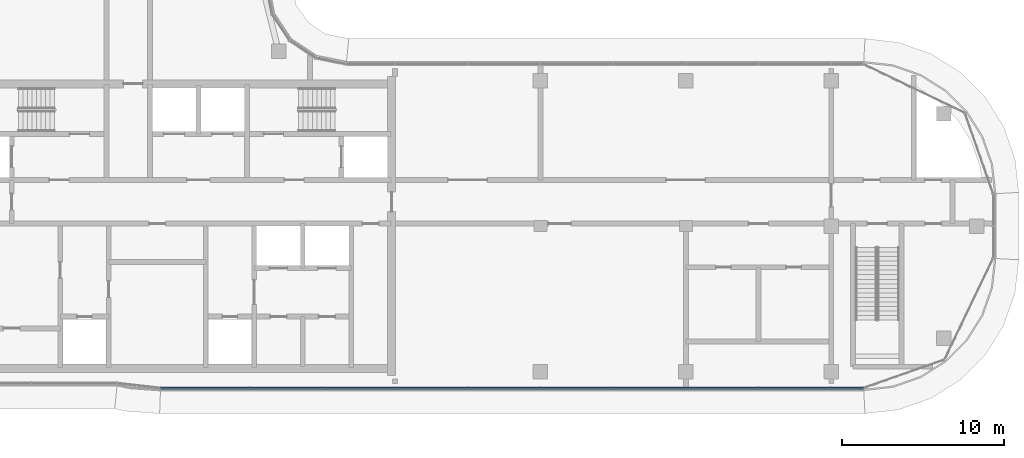
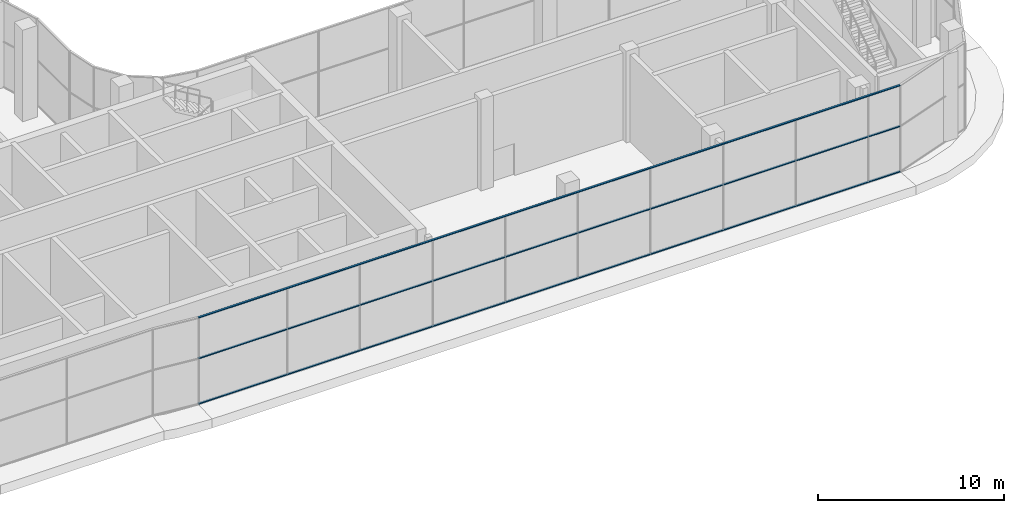
# One storey, part 6 of 23: 3 members, 1 element without a shape of its own.
"""IFC4 building model written with IfcOpenShell, lengths in metres."""

from ifc_helpers import new_model, si_unit, direction, frame, origin, origin_2d, place, context, subcontext, project, spatial, rectangle, extrude, material, material_profile, profile_set, type_object, element, aggregate, save


model = new_model("IFC4")

# Units and contexts
model_context = context("Model", 3, precision=1e-05, world=origin(), true_north=direction((0.0, 1.0)))
body_context = subcontext(model_context, "Body", "Model", "MODEL_VIEW")
ifc_project = project(units=[si_unit("LENGTHUNIT", "METRE"), si_unit("AREAUNIT", "SQUARE_METRE"), si_unit("VOLUMEUNIT", "CUBIC_METRE"), si_unit("PLANEANGLEUNIT", "RADIAN"), si_unit("MASSUNIT", "GRAM", prefix="KILO")], contexts=[model_context])

# Site, building, storey
site_placement = place(None, origin())
site = spatial("IfcSite", under=ifc_project, at=site_placement, CompositionType="ELEMENT")
building_placement = place(site_placement, origin())
building = spatial("IfcBuilding", under=site, at=building_placement, Name="Ogive Portal Towers", CompositionType="ELEMENT")
storey_placement = place(building_placement, frame((0.0, 0.0, 260.89990234375)))
storey = spatial("IfcBuildingStorey", under=building, at=storey_placement, Name="L64", CompositionType="ELEMENT", Elevation=260.89990234375)

# Curtain wall, members
ifc_material_1 = material(Name="Glass, clear low-iron insulated glazing", Category="glass")
curtain_wall_type = type_object("IfcCurtainWallType", Name="CW OBSERVATION WALL", PredefinedType="NOTDEFINED", material=ifc_material_1)
curtain_wall_placement = place(storey_placement, origin())
curtain_wall = element("IfcCurtainWall", 1, at=curtain_wall_placement, inside=storey, type_object=curtain_wall_type, Name="A:L64:f05:cw0", PredefinedType="NOTDEFINED")
ifc_material_2 = material(Name="Aluminium 6063 anodised", Category="aluminium")
ifc_material_profile = material_profile(ifc_material_2, rectangle(XDim=0.1201171875, YDim=0.06005859375, at=origin_2d()), Name="AL 120x60")
ifc_profile_set = profile_set([ifc_material_profile], Name="Aluminium 6063 anodised")
member_type = type_object("IfcMemberType", Name="CW TRANSOM 60x120", PredefinedType="USERDEFINED", material=ifc_profile_set)
member_1_placement = place(storey_placement, frame((44.00439453125, 20.47998046875, 0.030029296875), z_axis=(1.0, 0.0, 0.0), x_axis=(0.0, 1.0, 0.0)))
member_1 = element("IfcMember", 2, at=member_1_placement, type_object=member_type, Name="transom", ObjectType="TRANSOM", PredefinedType="USERDEFINED", context=body_context, shape_type="SweptSolid", body=[
    extrude(rectangle(XDim=0.1201171875, YDim=0.06005859375, at=origin_2d()), origin(), (0.0, 0.0, 1.0), 43.48193359375),
])
member_2_placement = place(storey_placement, frame((44.00439453125, 20.47998046875, 3.0), z_axis=(1.0, 0.0, 0.0), x_axis=(0.0, 1.0, 0.0)))
member_2 = element("IfcMember", 3, at=member_2_placement, type_object=member_type, Name="transom", ObjectType="TRANSOM", PredefinedType="USERDEFINED", context=body_context, shape_type="SweptSolid", body=[
    extrude(rectangle(XDim=0.1201171875, YDim=0.06005859375, at=origin_2d()), origin(), (0.0, 0.0, 1.0), 43.48193359375),
])
member_3_placement = place(storey_placement, frame((44.00439453125, 20.47998046875, 5.670166015625), z_axis=(1.0, 0.0, 0.0), x_axis=(0.0, 1.0, 0.0)))
member_3 = element("IfcMember", 4, at=member_3_placement, type_object=member_type, Name="transom", ObjectType="TRANSOM", PredefinedType="USERDEFINED", context=body_context, shape_type="SweptSolid", body=[
    extrude(rectangle(XDim=0.1201171875, YDim=0.06005859375, at=origin_2d()), origin(), (0.0, 0.0, 1.0), 43.48193359375),
])
aggregate(curtain_wall, [member_1, member_2, member_3])

save(model, "model.ifc")
